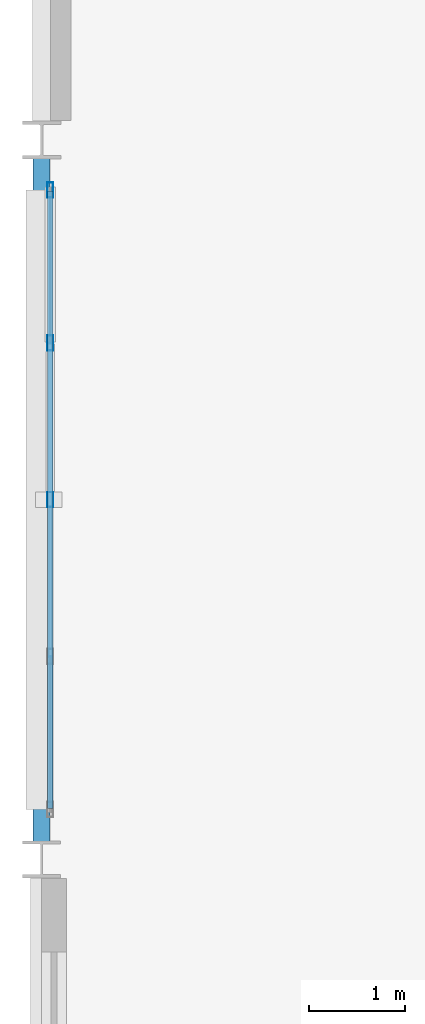
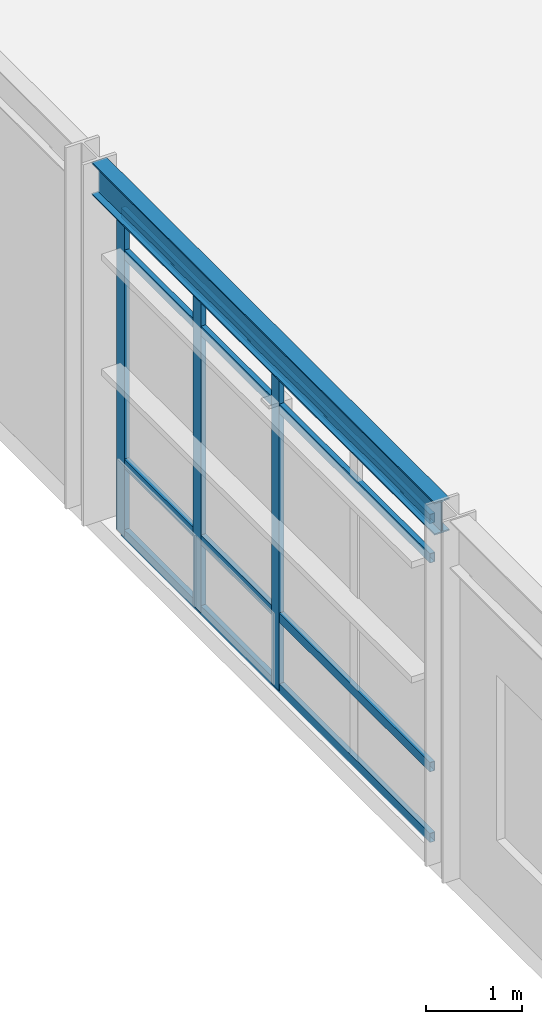
# One storey, part 21 of 200: 7 members, 1 beam, 1 element without a shape of its own.
"""IFC4 building model written with IfcOpenShell, lengths in metres."""

from ifc_helpers import new_model, si_unit, direction, frame, origin, origin_2d, place, context, subcontext, project, spatial, hollow_rectangle, i_section, extrude, material, material_profile, profile_set, type_object, element, aggregate, save


model = new_model("IFC4")

# Units and contexts
model_context = context("Model", 3, precision=1e-05, world=origin(), true_north=direction((0.0, 1.0)))
body_context = subcontext(model_context, "Body", "Model", "MODEL_VIEW")
ifc_project = project(units=[si_unit("LENGTHUNIT", "METRE"), si_unit("AREAUNIT", "SQUARE_METRE"), si_unit("VOLUMEUNIT", "CUBIC_METRE"), si_unit("PLANEANGLEUNIT", "RADIAN"), si_unit("MASSUNIT", "GRAM", prefix="KILO"), si_unit("THERMODYNAMICTEMPERATUREUNIT", "KELVIN"), si_unit("POWERUNIT", "WATT")], contexts=[model_context])

# Site, building, storey
site_placement = place(None, origin())
site = spatial("IfcSite", under=ifc_project, at=site_placement, CompositionType="ELEMENT")
building_placement = place(site_placement, origin())
building = spatial("IfcBuilding", under=site, at=building_placement, Name="Tepalcoro Natatorium and Aquatics Centre", CompositionType="ELEMENT")
storey_placement = place(building_placement, frame((0.0, 0.0, 5.39990234375)))
storey = spatial("IfcBuildingStorey", under=building, at=storey_placement, Name="L01", CompositionType="ELEMENT", Elevation=5.39990234375)

# Curtain wall, members
ifc_material_1 = material(Name="Bronze-Anodised Extruded Aluminium Alloy EN AW-6063 T6", Category="aluminium")
curtain_wall_type = type_object("IfcCurtainWallType", Name="CW_LEAN_T1_EW", PredefinedType="USERDEFINED", material=ifc_material_1)
curtain_wall_placement = place(storey_placement, origin())
curtain_wall = element("IfcCurtainWall", 1, at=curtain_wall_placement, inside=storey, type_object=curtain_wall_type, Name="V3 L01 W Unitised Curtain Wall Bay 3", ObjectType="FACETED SOLAR GLAZING", PredefinedType="USERDEFINED")
ifc_material_profile_1 = material_profile(ifc_material_1, hollow_rectangle(XDim=0.06005859375, YDim=0.159912109375, WallThickness=0.00390625, at=origin_2d()), Name="AL60X160X4")
ifc_profile_set_1 = profile_set([ifc_material_profile_1], Name="Bronze-Anodised Extruded Aluminium Alloy EN AW-6063 T6")
member_type_1 = type_object("IfcMemberType", Name="CW_MUL_60x160", PredefinedType="MULLION", material=ifc_profile_set_1)
member_1_placement = place(storey_placement, frame((0.090087890625, 24.25, 0.02001953125), z_axis=(0.0, 0.0, 1.0), x_axis=(1.0, 0.0, 0.0)))
member_1 = element("IfcMember", 2, at=member_1_placement, type_object=member_type_1, Name="CW_LEAN_T1_EW Curtain Wall Mullion", PredefinedType="MULLION", context=body_context, shape_type="SweptSolid", body=[
    extrude(hollow_rectangle(XDim=0.06005859375, YDim=0.159912109375, WallThickness=0.00390625, at=origin_2d()), origin(), (0.0, 0.0, 1.0), 4.1171875),
])
member_2_placement = place(storey_placement, frame((0.090087890625, 25.885009765625, 0.02001953125), z_axis=(0.0, 0.0, 1.0), x_axis=(1.0, 0.0, 0.0)))
member_2 = element("IfcMember", 3, at=member_2_placement, type_object=member_type_1, Name="CW_LEAN_T1_EW Curtain Wall Mullion", PredefinedType="MULLION", context=body_context, shape_type="SweptSolid", body=[
    extrude(hollow_rectangle(XDim=0.06005859375, YDim=0.159912109375, WallThickness=0.00390625, at=origin_2d()), origin(), (0.0, 0.0, 1.0), 4.1171875),
])
member_3_placement = place(storey_placement, frame((0.090087890625, 27.47998046875, 0.02001953125), z_axis=(0.0, 0.0, 1.0), x_axis=(1.0, 0.0, 0.0)))
member_3 = element("IfcMember", 4, at=member_3_placement, type_object=member_type_1, Name="CW_LEAN_T1_EW Curtain Wall Mullion", PredefinedType="MULLION", context=body_context, shape_type="SweptSolid", body=[
    extrude(hollow_rectangle(XDim=0.06005859375, YDim=0.159912109375, WallThickness=0.00390625, at=origin_2d()), origin(), (0.0, 0.0, 1.0), 4.1171875),
])
ifc_material_profile_2 = material_profile(ifc_material_1, hollow_rectangle(XDim=0.06005859375, YDim=0.1201171875, WallThickness=0.00390625, at=origin_2d()), Name="AL60X120X4")
ifc_profile_set_2 = profile_set([ifc_material_profile_2], Name="Bronze-Anodised Extruded Aluminium Alloy EN AW-6063 T6")
member_type_2 = type_object("IfcMemberType", Name="CW_TRN_60x120", PredefinedType="USERDEFINED", material=ifc_profile_set_2)
member_4_placement = place(storey_placement, frame((0.090087890625, 21.030029296875, 0.050048828125), z_axis=(0.0, 1.0, 0.0), x_axis=(-1.0, 0.0, 0.0)))
member_4 = element("IfcMember", 5, at=member_4_placement, type_object=member_type_2, Name="CW_LEAN_T1_EW Curtain Wall Transom", ObjectType="TRANSOM", PredefinedType="USERDEFINED", context=body_context, shape_type="SweptSolid", body=[
    extrude(hollow_rectangle(XDim=0.06005859375, YDim=0.1201171875, WallThickness=0.00390625, at=origin_2d()), origin(), (0.0, 0.0, 1.0), 6.43994140625),
])
member_5_placement = place(storey_placement, frame((0.090087890625, 21.030029296875, 0.9501953125), z_axis=(0.0, 1.0, 0.0), x_axis=(-1.0, 0.0, 0.0)))
member_5 = element("IfcMember", 6, at=member_5_placement, type_object=member_type_2, Name="CW_LEAN_T1_EW Curtain Wall Transom", ObjectType="TRANSOM", PredefinedType="USERDEFINED", context=body_context, shape_type="SweptSolid", body=[
    extrude(hollow_rectangle(XDim=0.06005859375, YDim=0.1201171875, WallThickness=0.00390625, at=origin_2d()), origin(), (0.0, 0.0, 1.0), 6.43994140625),
])
member_6_placement = place(storey_placement, frame((0.090087890625, 21.030029296875, 3.607177734375), z_axis=(0.0, 1.0, 0.0), x_axis=(-1.0, 0.0, 0.0)))
member_6 = element("IfcMember", 7, at=member_6_placement, type_object=member_type_2, Name="CW_LEAN_T1_EW Curtain Wall Transom", ObjectType="TRANSOM", PredefinedType="USERDEFINED", context=body_context, shape_type="SweptSolid", body=[
    extrude(hollow_rectangle(XDim=0.06005859375, YDim=0.1201171875, WallThickness=0.00390625, at=origin_2d()), origin(), (0.0, 0.0, 1.0), 6.43994140625),
])
member_7_placement = place(storey_placement, frame((0.090087890625, 21.030029296875, 4.107177734375), z_axis=(0.0, 1.0, 0.0), x_axis=(-1.0, 0.0, 0.0)))
member_7 = element("IfcMember", 8, at=member_7_placement, type_object=member_type_2, Name="CW_LEAN_T1_EW Curtain Wall Transom", ObjectType="TRANSOM", PredefinedType="USERDEFINED", context=body_context, shape_type="SweptSolid", body=[
    extrude(hollow_rectangle(XDim=0.06005859375, YDim=0.1201171875, WallThickness=0.00390625, at=origin_2d()), origin(), (0.0, 0.0, 1.0), 6.43994140625),
])
aggregate(curtain_wall, [member_1, member_2, member_3, member_4, member_5, member_6, member_7])

# Beam
ifc_material_2 = material(Name="Steel ASTM A992 Grade 50 (Fy 345 MPa)", Category="steel")
ifc_material_profile_3 = material_profile(ifc_material_2, i_section(OverallWidth=0.179931640625, OverallDepth=0.4130859375, WebThickness=0.010009765625, FlangeThickness=0.01611328125, FilletRadius=0.013916015625, at=origin_2d()), Name="W16X50")
ifc_profile_set_3 = profile_set([ifc_material_profile_3], Name="Steel ASTM A992 Grade 50 (Fy 345 MPa)")
beam_type = type_object("IfcBeamType", Name="SP_HSS300x200x12", PredefinedType="SPANDREL", material=ifc_profile_set_3)
beam_placement = place(storey_placement, frame((0.0, 20.672119140625, 4.378662109375), z_axis=(0.0, 1.0, 0.0), x_axis=(-1.0, 0.0, 0.0)))
element("IfcBeam", 9, at=beam_placement, inside=storey, type_object=beam_type, Name="V3 L01 Grid Girder Y", PredefinedType="SPANDREL", context=body_context, shape_type="SweptSolid", body=[
    extrude(i_section(OverallWidth=0.179931640625, OverallDepth=0.4130859375, WebThickness=0.010009765625, FlangeThickness=0.01611328125, FilletRadius=0.013916015625, at=origin_2d()), origin(), (0.0, 0.0, 1.0), 7.1494140625),
])

save(model, "model.ifc")
